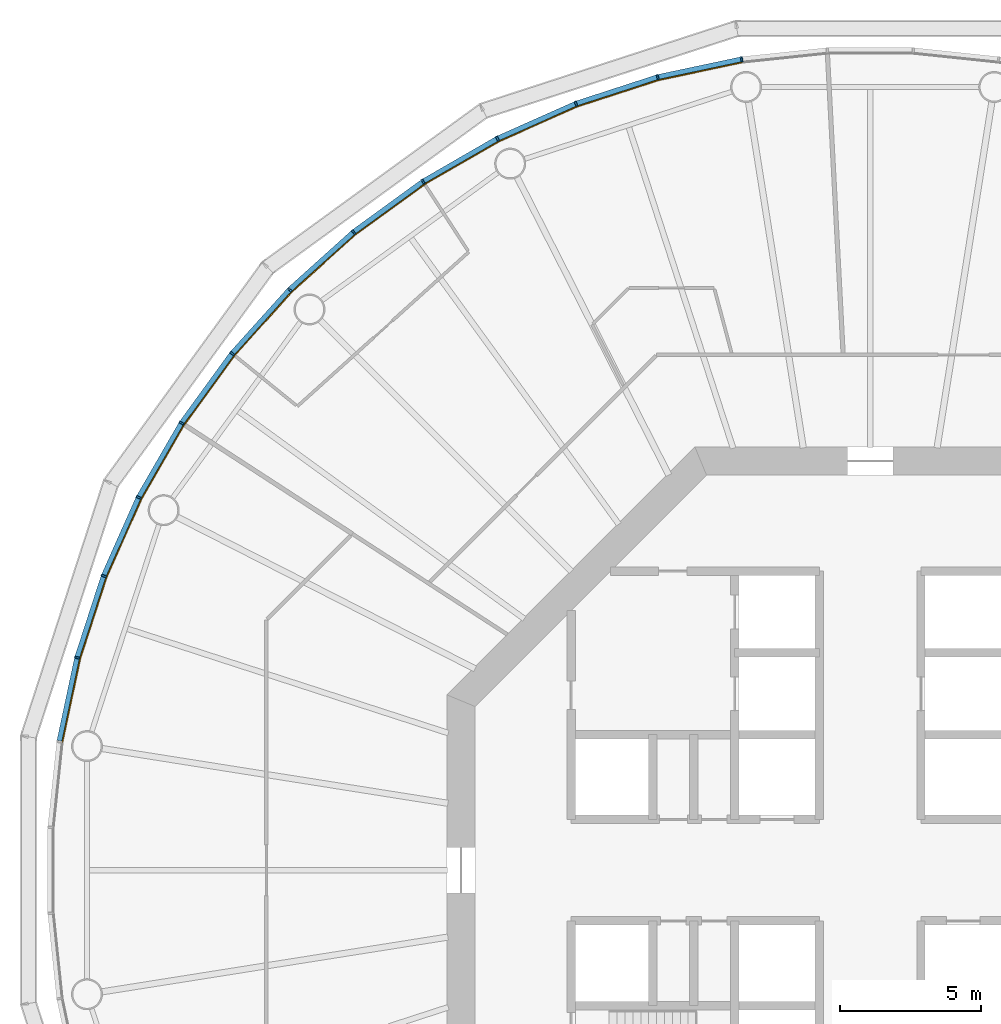
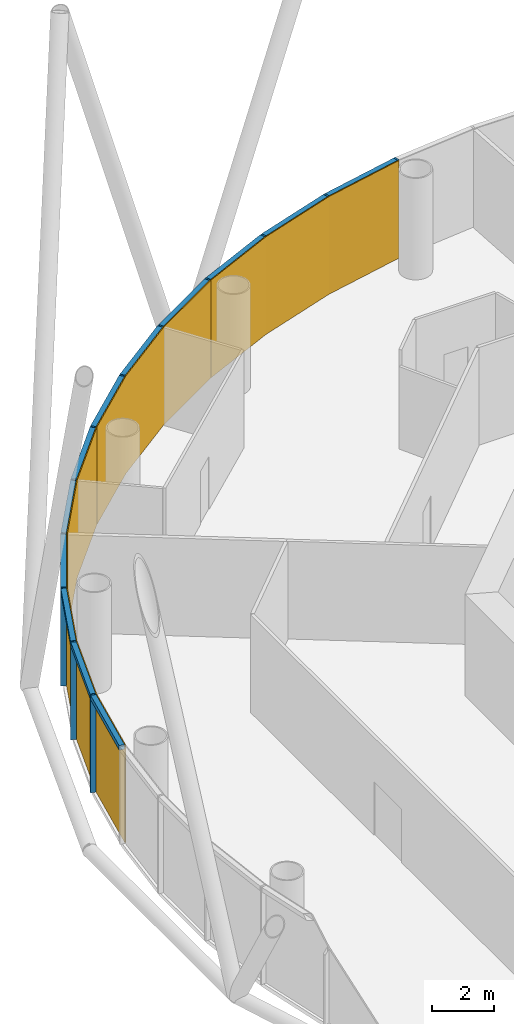
# One storey, part 10 of 13: 24 members, 4 curtain walls.
"""IFC4 building model written with IfcOpenShell, lengths in metres."""

import ifcopenshell
import ifcopenshell.guid

model = None  # the IFC model being written
_history = None  # IfcOwnerHistory: only IFC2X3 demands one
_inside = {}  # id of a spatial element -> (the spatial element, [elements in it])
_under = {}  # id of a project, library or spatial element -> (it, [spatial elements below it])
_declared = {}  # id of a project -> (the project, [libraries it declares])
_typed = {}  # id of a type object -> (the type object, [elements of that type])
_made_of = {}  # id of a material, layer set ... -> (it, [elements and type objects made of it])


def new_model(schema):
    """Start an empty IFC model of exactly this schema.

    Asked for "IFC4X3", IfcOpenShell would pick the latest addendum, in which some entities
    have other attributes; the version numbers below select the first issue.
    IFC2X3 requires an IfcOwnerHistory on every rooted entity: one is made here for all.
    """
    global model, _history
    if schema == "IFC4X3":
        model = ifcopenshell.file(schema_version=(4, 3, 0, 0))
    else:
        model = ifcopenshell.file(schema=schema)
    _inside.clear()
    _under.clear()
    _declared.clear()
    _typed.clear()
    _made_of.clear()
    _history = None
    if model.schema == "IFC2X3":
        org = make("IfcOrganization", Name="unknown")
        user = make(
            "IfcPersonAndOrganization",
            ThePerson=make("IfcPerson", FamilyName="unknown"),
            TheOrganization=org,
        )
        app = make(
            "IfcApplication",
            ApplicationDeveloper=org,
            Version="unknown",
            ApplicationFullName="unknown",
            ApplicationIdentifier="unknown",
        )
        _history = make(
            "IfcOwnerHistory",
            OwningUser=user,
            OwningApplication=app,
            ChangeAction="ADDED",
            CreationDate=0,
        )
    return model


def make(cls, **values):
    """One entity of the class cls with the attributes given. An attribute that is None is left unset."""
    return model.create_entity(
        cls, **{name: value for name, value in values.items() if value is not None}
    )


def rooted(cls, **values):
    """An entity with a GlobalId (a new one), such as an element, a storey or a relation."""
    return make(cls, GlobalId=ifcopenshell.guid.new(), OwnerHistory=_history, **values)


def si_unit(unit_type, name, prefix=None):
    """IfcSIUnit, for example si_unit("LENGTHUNIT", "METRE", prefix="MILLI")."""
    return make("IfcSIUnit", UnitType=unit_type, Prefix=prefix, Name=name)


def assignment(units):
    """IfcUnitAssignment: the units of a project."""
    return None if units is None else make("IfcUnitAssignment", Units=units)


def point(xyz):
    """IfcCartesianPoint."""
    return None if xyz is None else make("IfcCartesianPoint", Coordinates=xyz)


def direction(xyz):
    """IfcDirection."""
    return None if xyz is None else make("IfcDirection", DirectionRatios=xyz)


def frame(location, z_axis=None, x_axis=None):
    """IfcAxis2Placement3D, a coordinate frame: its origin and axes. An axis left out is left unset."""
    return make(
        "IfcAxis2Placement3D",
        Location=point(location),
        Axis=direction(z_axis),
        RefDirection=direction(x_axis),
    )


def frame_2d(location, x_axis=None):
    """IfcAxis2Placement2D, a coordinate frame in the plane: its origin and x axis."""
    return make(
        "IfcAxis2Placement2D", Location=point(location), RefDirection=direction(x_axis)
    )


def origin():
    """The frame at (0, 0, 0) with its axes left unset."""
    return frame((0.0, 0.0, 0.0))


def origin_2d():
    """The frame at (0, 0) in the plane with its x axis left unset."""
    return frame_2d((0.0, 0.0))


def place(relative_to, where):
    """IfcLocalPlacement: puts the frame where relative to a parent placement (None: the world)."""
    return make(
        "IfcLocalPlacement", PlacementRelTo=relative_to, RelativePlacement=where
    )


def context(
    kind, dimensions, precision=None, world=None, true_north=None, identifier=None
):
    """IfcGeometricRepresentationContext, for example the 3D "Model" context."""
    return make(
        "IfcGeometricRepresentationContext",
        ContextIdentifier=identifier,
        ContextType=kind,
        CoordinateSpaceDimension=dimensions,
        Precision=precision,
        WorldCoordinateSystem=world,
        TrueNorth=true_north,
    )


def subcontext(parent, identifier, kind, view, scale=None):
    """IfcGeometricRepresentationSubContext, for example "Body" below "Model"."""
    return make(
        "IfcGeometricRepresentationSubContext",
        ContextIdentifier=identifier,
        ContextType=kind,
        ParentContext=parent,
        TargetScale=scale,
        TargetView=view,
    )


def project(units=None, contexts=None):
    """IfcProject with its units and contexts."""
    return rooted(
        "IfcProject",
        Name="project",
        RepresentationContexts=contexts,
        UnitsInContext=assignment(units),
    )


def spatial(cls, under=None, at=None, **own):
    """A site, building, storey or space (cls), placed at a placement, below another one or the project."""
    s = rooted(cls, ObjectPlacement=at, **own)
    if under is not None:
        _under.setdefault(under.id(), (under, []))[1].append(s)
    return s


def polyline(points):
    """IfcPolyline through the points."""
    return make("IfcPolyline", Points=[point(p) for p in points])


def profile(cls, at=None, kind="AREA", **sizes):
    """A parametric profile (cls). Its sizes go by their IFC names, for example OverallWidth=200.0."""
    return make(cls, ProfileType=kind, Position=at, **sizes)


def rectangle(**sizes):
    """IfcRectangleProfileDef."""
    return profile("IfcRectangleProfileDef", **sizes)


def outline(outer, holes=None, kind="AREA"):
    """IfcArbitraryClosedProfileDef: a profile drawn as a closed curve; with holes, ...WithVoids."""
    if holes is None:
        return make("IfcArbitraryClosedProfileDef", ProfileType=kind, OuterCurve=outer)
    return make(
        "IfcArbitraryProfileDefWithVoids",
        ProfileType=kind,
        OuterCurve=outer,
        InnerCurves=holes,
    )


def extrude(swept, where, along, depth):
    """IfcExtrudedAreaSolid: the profile swept, set in the frame where, extruded along a direction by depth."""
    return make(
        "IfcExtrudedAreaSolid",
        SweptArea=swept,
        Position=where,
        ExtrudedDirection=direction(along),
        Depth=depth,
    )


def shape(context_of_items, identifier, shape_type, items):
    """IfcShapeRepresentation: the items that make up one representation, for example the "Body"."""
    return make(
        "IfcShapeRepresentation",
        ContextOfItems=context_of_items,
        RepresentationIdentifier=identifier,
        RepresentationType=shape_type,
        Items=items,
    )


def material(Name=None, Category=None):
    """IfcMaterial."""
    return make("IfcMaterial", Name=Name, Category=Category)


def layer(
    of_material, thickness, ventilated=None, Name=None, Category=None, Priority=None
):
    """IfcMaterialLayer: one layer of a wall or slab, of a material (None: an air gap)."""
    return make(
        "IfcMaterialLayer",
        Material=of_material,
        LayerThickness=thickness,
        IsVentilated=ventilated,
        Name=Name,
        Category=Category,
        Priority=Priority,
    )


def layer_set(layers, Name=None):
    """IfcMaterialLayerSet."""
    return make("IfcMaterialLayerSet", MaterialLayers=layers, LayerSetName=Name)


def material_profile(
    of_material, cross_section, Name=None, Category=None, Priority=None
):
    """IfcMaterialProfile: a cross section and its material."""
    return make(
        "IfcMaterialProfile",
        Name=Name,
        Material=of_material,
        Profile=cross_section,
        Priority=Priority,
        Category=Category,
    )


def profile_set(profiles, Name=None, composite=None):
    """IfcMaterialProfileSet."""
    return make(
        "IfcMaterialProfileSet",
        Name=Name,
        MaterialProfiles=profiles,
        CompositeProfile=composite,
    )


def made_of(thing, what):
    """Note that an element or type object is made of a material, layer set ...; save() writes the relation."""
    if what is not None:
        _made_of.setdefault(what.id(), (what, []))[1].append(thing)
    return thing


def type_object(cls, material=None, **own):
    """A type object (cls), such as IfcWallType, which elements share."""
    return made_of(rooted(cls, **own), material)


def element(
    cls,
    number,
    at=None,
    inside=None,
    cuts=None,
    type_object=None,
    material=None,
    context=None,
    identifier="Body",
    shape_type=None,
    held_by="IfcProductDefinitionShape",
    body=None,
    shapes=None,
    **own,
):
    """One element of the class cls, such as IfcWall. Its Tag is "e" and its number.

    at: its placement. inside: the storey or other place that contains it. cuts: it is an
    opening in that element (IfcRelVoidsElement). A single representation is given by context,
    identifier, shape_type and body (its items); several are given by shapes. held_by: the class
    of the entity that holds the representations. save() writes the other relations.
    """
    e = rooted(cls, Tag="e%d" % number, ObjectPlacement=at, **own)
    if body is not None:
        shapes = [shape(context, identifier, shape_type, body)]
    if shapes is not None:
        e.Representation = make(held_by, Representations=shapes)
    if inside is not None:
        _inside.setdefault(inside.id(), (inside, []))[1].append(e)
    if cuts is not None:
        rooted(
            "IfcRelVoidsElement", RelatingBuildingElement=cuts, RelatedOpeningElement=e
        )
    if type_object is not None:
        _typed.setdefault(type_object.id(), (type_object, []))[1].append(e)
    return made_of(e, material)


def aggregate(whole, parts):
    """IfcRelAggregates: a whole, such as a stair, and the parts it consists of."""
    return rooted("IfcRelAggregates", RelatingObject=whole, RelatedObjects=parts)


def save(model, path):
    """Write the relations noted so far, then the file.

    IfcRelAggregates (storeys below a building ...), IfcRelContainedInSpatialStructure (elements
    in a storey), IfcRelDefinesByType, IfcRelAssociatesMaterial and IfcRelDeclares: one each for
    every whole, place, type object, material and project.
    """
    for whole, parts in _under.values():
        aggregate(whole, parts)
    for where, things in _inside.values():
        rooted(
            "IfcRelContainedInSpatialStructure",
            RelatedElements=things,
            RelatingStructure=where,
        )
    for kind, things in _typed.values():
        rooted("IfcRelDefinesByType", RelatedObjects=things, RelatingType=kind)
    for what, things in _made_of.values():
        rooted("IfcRelAssociatesMaterial", RelatedObjects=things, RelatingMaterial=what)
    for by, libraries in _declared.values():
        rooted("IfcRelDeclares", RelatingContext=by, RelatedDefinitions=libraries)
    model.write(path)


model = new_model("IFC4")

# Units and contexts
model_context = context("Model", 3, precision=1e-05, world=origin(), true_north=direction((0.0, 1.0)))
body_context = subcontext(model_context, "Body", "Model", "MODEL_VIEW")
ifc_project = project(units=[si_unit("LENGTHUNIT", "METRE"), si_unit("AREAUNIT", "SQUARE_METRE"), si_unit("VOLUMEUNIT", "CUBIC_METRE"), si_unit("PLANEANGLEUNIT", "RADIAN"), si_unit("MASSUNIT", "GRAM", prefix="KILO")], contexts=[model_context])

# Member
ifc_material_1 = material(Name="Anodised aluminium", Category="aluminium")
ifc_material_profile_1 = material_profile(ifc_material_1, rectangle(XDim=0.06494140625, YDim=0.18505859375, at=origin_2d()), Name="Mullion 65 x 185 mm anodised aluminium")
ifc_profile_set_1 = profile_set([ifc_material_profile_1], Name="Anodised aluminium")
member_type_1 = type_object("IfcMemberType", Name="Mullion 65 x 185 mm anodised aluminium", PredefinedType="MULLION", material=ifc_profile_set_1)
site_placement = place(None, origin())
building_placement = place(site_placement, origin())
storey_placement = place(building_placement, frame((0.0, 0.0, 180.0)))
member_1_placement = place(storey_placement, frame((85.448974609375, 108.734375, 0.0), z_axis=(0.0, 0.0, 1.0), x_axis=(-0.987688340595, -0.15643446504, 0.0)))
member_1 = element("IfcMember", 1, at=member_1_placement, type_object=member_type_1, Name="MULLION L41-15", PredefinedType="MULLION", context=body_context, shape_type="SweptSolid", body=[
    extrude(rectangle(XDim=0.06494140625, YDim=0.18505859375, at=origin_2d()), origin(), (0.0, 0.0, 1.0), 3.85009765625),
])

member_2_placement = place(storey_placement, frame((82.47021484375, 108.101318359375, 0.0), z_axis=(0.0, 0.0, 1.0), x_axis=(-0.965925826289, -0.258819045103, 0.0)))
member_2 = element("IfcMember", 2, at=member_2_placement, type_object=member_type_1, Name="MULLION L41-16", PredefinedType="MULLION", context=body_context, shape_type="SweptSolid", body=[
    extrude(rectangle(XDim=0.06494140625, YDim=0.18505859375, at=origin_2d()), origin(), (0.0, 0.0, 1.0), 3.85009765625),
])

member_3_placement = place(storey_placement, frame((79.57421875, 107.16015625, 0.0), z_axis=(0.0, 0.0, 1.0), x_axis=(-0.933580426497, -0.358367949545, 0.0)))
member_3 = element("IfcMember", 3, at=member_3_placement, type_object=member_type_1, Name="MULLION L41-17", PredefinedType="MULLION", context=body_context, shape_type="SweptSolid", body=[
    extrude(rectangle(XDim=0.06494140625, YDim=0.18505859375, at=origin_2d()), origin(), (0.0, 0.0, 1.0), 3.85009765625),
])

member_4_placement = place(storey_placement, frame((76.792236328125, 105.921630859375, 0.0), z_axis=(0.0, 0.0, 1.0), x_axis=(-0.891006524188, -0.45399049974, 0.0)))
member_4 = element("IfcMember", 4, at=member_4_placement, type_object=member_type_1, Name="MULLION L41-18", PredefinedType="MULLION", context=body_context, shape_type="SweptSolid", body=[
    extrude(rectangle(XDim=0.06494140625, YDim=0.18505859375, at=origin_2d()), origin(), (0.0, 0.0, 1.0), 3.85009765625),
])

member_5_placement = place(storey_placement, frame((74.155029296875, 104.39892578125, 0.0), z_axis=(0.0, 0.0, 1.0), x_axis=(-0.838670567945, -0.544639035015, 0.0)))
member_5 = element("IfcMember", 5, at=member_5_placement, type_object=member_type_1, Name="MULLION L41-19", PredefinedType="MULLION", context=body_context, shape_type="SweptSolid", body=[
    extrude(rectangle(XDim=0.06494140625, YDim=0.18505859375, at=origin_2d()), origin(), (0.0, 0.0, 1.0), 3.85009765625),
])

member_6_placement = place(storey_placement, frame((71.69140625, 102.609130859375, 0.0), z_axis=(0.0, 0.0, 1.0), x_axis=(-0.777145961457, -0.62932039105, 0.0)))
member_6 = element("IfcMember", 6, at=member_6_placement, type_object=member_type_1, Name="MULLION L41-20", PredefinedType="MULLION", context=body_context, shape_type="SweptSolid", body=[
    extrude(rectangle(XDim=0.06494140625, YDim=0.18505859375, at=origin_2d()), origin(), (0.0, 0.0, 1.0), 3.85009765625),
])

member_7_placement = place(storey_placement, frame((69.428466796875, 100.571533203125, 0.0), z_axis=(0.0, 0.0, 1.0), x_axis=(-0.707106781187, -0.707106781187, 0.0)))
member_7 = element("IfcMember", 7, at=member_7_placement, type_object=member_type_1, Name="MULLION L41-21", PredefinedType="MULLION", context=body_context, shape_type="SweptSolid", body=[
    extrude(rectangle(XDim=0.06494140625, YDim=0.18505859375, at=origin_2d()), origin(), (0.0, 0.0, 1.0), 3.85009765625),
])

member_8_placement = place(storey_placement, frame((67.390869140625, 98.30859375, 0.0), z_axis=(0.0, 0.0, 1.0), x_axis=(-0.62932039105, -0.777145961457, 0.0)))
member_8 = element("IfcMember", 8, at=member_8_placement, type_object=member_type_1, Name="MULLION L41-22", PredefinedType="MULLION", context=body_context, shape_type="SweptSolid", body=[
    extrude(rectangle(XDim=0.06494140625, YDim=0.18505859375, at=origin_2d()), origin(), (0.0, 0.0, 1.0), 3.85009765625),
])

member_9_placement = place(storey_placement, frame((65.60107421875, 95.844970703125, 0.0), z_axis=(0.0, 0.0, 1.0), x_axis=(-0.544639035015, -0.838670567945, 0.0)))
member_9 = element("IfcMember", 9, at=member_9_placement, type_object=member_type_1, Name="MULLION L41-23", PredefinedType="MULLION", context=body_context, shape_type="SweptSolid", body=[
    extrude(rectangle(XDim=0.06494140625, YDim=0.18505859375, at=origin_2d()), origin(), (0.0, 0.0, 1.0), 3.85009765625),
])

member_10_placement = place(storey_placement, frame((64.078369140625, 93.207763671875, 0.0), z_axis=(0.0, 0.0, 1.0), x_axis=(-0.45399049974, -0.891006524188, 0.0)))
member_10 = element("IfcMember", 10, at=member_10_placement, type_object=member_type_1, Name="MULLION L41-24", PredefinedType="MULLION", context=body_context, shape_type="SweptSolid", body=[
    extrude(rectangle(XDim=0.06494140625, YDim=0.18505859375, at=origin_2d()), origin(), (0.0, 0.0, 1.0), 3.85009765625),
])

member_11_placement = place(storey_placement, frame((62.83984375, 90.42578125, 0.0), z_axis=(0.0, 0.0, 1.0), x_axis=(-0.358367949545, -0.933580426497, 0.0)))
member_11 = element("IfcMember", 11, at=member_11_placement, type_object=member_type_1, Name="MULLION L41-25", PredefinedType="MULLION", context=body_context, shape_type="SweptSolid", body=[
    extrude(rectangle(XDim=0.06494140625, YDim=0.18505859375, at=origin_2d()), origin(), (0.0, 0.0, 1.0), 3.85009765625),
])

member_12_placement = place(storey_placement, frame((61.898681640625, 87.52978515625, 0.0), z_axis=(0.0, 0.0, 1.0), x_axis=(-0.258819045103, -0.965925826289, 0.0)))
member_12 = element("IfcMember", 12, at=member_12_placement, type_object=member_type_1, Name="MULLION L41-26", PredefinedType="MULLION", context=body_context, shape_type="SweptSolid", body=[
    extrude(rectangle(XDim=0.06494140625, YDim=0.18505859375, at=origin_2d()), origin(), (0.0, 0.0, 1.0), 3.85009765625),
])

ifc_material_2 = material(Name="Anodised aluminium", Category="aluminium")
ifc_material_profile_2 = material_profile(ifc_material_2, rectangle(XDim=0.18505859375, YDim=0.175048828125, at=origin_2d()), Name="Transom 175 x 185 mm anodised aluminium")
ifc_profile_set_2 = profile_set([ifc_material_profile_2], Name="Anodised aluminium")
member_type_2 = type_object("IfcMemberType", Name="Transom 175 x 185 mm anodised aluminium", PredefinedType="USERDEFINED", material=ifc_profile_set_2)
member_13_placement = place(storey_placement, frame((85.412353515625, 108.7265625, 3.762451171875), z_axis=(-0.97815822425, -0.207861704825, 0.0), x_axis=(0.207861704825, -0.97815822425, 0.0)))
member_13 = element("IfcMember", 13, at=member_13_placement, type_object=member_type_2, Name="TRANSOM L41-15", ObjectType="TRANSOM", PredefinedType="USERDEFINED", context=body_context, shape_type="SweptSolid", body=[
    extrude(rectangle(XDim=0.18505859375, YDim=0.175048828125, at=origin_2d()), origin(), (0.0, 0.0, 1.0), 2.970458984375),
])

member_14_placement = place(storey_placement, frame((82.434814453125, 108.08984375, 3.762451171875), z_axis=(-0.951055809184, -0.30901917063, 0.0), x_axis=(0.30901917063, -0.951055809184, 0.0)))
member_14 = element("IfcMember", 14, at=member_14_placement, type_object=member_type_2, Name="TRANSOM L41-16", ObjectType="TRANSOM", PredefinedType="USERDEFINED", context=body_context, shape_type="SweptSolid", body=[
    extrude(rectangle(XDim=0.18505859375, YDim=0.175048828125, at=origin_2d()), origin(), (0.0, 0.0, 1.0), 2.970703125),
])

member_15_placement = place(storey_placement, frame((79.5400390625, 107.14501953125, 3.762451171875), z_axis=(-0.913567348806, -0.406687471156, 0.0), x_axis=(0.406687471156, -0.913567348806, 0.0)))
member_15 = element("IfcMember", 15, at=member_15_placement, type_object=member_type_2, Name="TRANSOM L41-17", ObjectType="TRANSOM", PredefinedType="USERDEFINED", context=body_context, shape_type="SweptSolid", body=[
    extrude(rectangle(XDim=0.18505859375, YDim=0.175048828125, at=origin_2d()), origin(), (0.0, 0.0, 1.0), 2.970458984375),
])

member_16_placement = place(storey_placement, frame((76.759765625, 105.903076171875, 3.762451171875), z_axis=(-0.866009025146, -0.500028367561, 0.0), x_axis=(0.500028367561, -0.866009025146, 0.0)))
member_16 = element("IfcMember", 16, at=member_16_placement, type_object=member_type_2, Name="TRANSOM L41-18", ObjectType="TRANSOM", PredefinedType="USERDEFINED", context=body_context, shape_type="SweptSolid", body=[
    extrude(rectangle(XDim=0.18505859375, YDim=0.175048828125, at=origin_2d()), origin(), (0.0, 0.0, 1.0), 2.970458984375),
])

member_17_placement = place(storey_placement, frame((74.124755859375, 104.377197265625, 3.762451171875), z_axis=(-0.808991906087, -0.587819781808, 0.0), x_axis=(0.587819781808, -0.808991906087, 0.0)))
member_17 = element("IfcMember", 17, at=member_17_placement, type_object=member_type_2, Name="TRANSOM L41-19", ObjectType="TRANSOM", PredefinedType="USERDEFINED", context=body_context, shape_type="SweptSolid", body=[
    extrude(rectangle(XDim=0.18505859375, YDim=0.175048828125, at=origin_2d()), origin(), (0.0, 0.0, 1.0), 2.970458984375),
])

member_18_placement = place(storey_placement, frame((71.66357421875, 102.584228515625, 3.762451171875), z_axis=(-0.743163354343, -0.669110027395, 0.0), x_axis=(0.669110027395, -0.743163354343, 0.0)))
member_18 = element("IfcMember", 18, at=member_18_placement, type_object=member_type_2, Name="TRANSOM L41-20", ObjectType="TRANSOM", PredefinedType="USERDEFINED", context=body_context, shape_type="SweptSolid", body=[
    extrude(rectangle(XDim=0.18505859375, YDim=0.175048828125, at=origin_2d()), origin(), (0.0, 0.0, 1.0), 2.970458984375),
])

member_19_placement = place(storey_placement, frame((69.4033203125, 100.5439453125, 3.762451171875), z_axis=(-0.669110027395, -0.743163354343, 0.0), x_axis=(0.743163354343, -0.669110027395, 0.0)))
member_19 = element("IfcMember", 19, at=member_19_placement, type_object=member_type_2, Name="TRANSOM L41-21", ObjectType="TRANSOM", PredefinedType="USERDEFINED", context=body_context, shape_type="SweptSolid", body=[
    extrude(rectangle(XDim=0.18505859375, YDim=0.175048828125, at=origin_2d()), origin(), (0.0, 0.0, 1.0), 2.970458984375),
])

member_20_placement = place(storey_placement, frame((67.368896484375, 98.2783203125, 3.762451171875), z_axis=(-0.587819781808, -0.808991906087, 0.0), x_axis=(0.808991906087, -0.587819781808, 0.0)))
member_20 = element("IfcMember", 20, at=member_20_placement, type_object=member_type_2, Name="TRANSOM L41-22", ObjectType="TRANSOM", PredefinedType="USERDEFINED", context=body_context, shape_type="SweptSolid", body=[
    extrude(rectangle(XDim=0.18505859375, YDim=0.175048828125, at=origin_2d()), origin(), (0.0, 0.0, 1.0), 2.970458984375),
])

member_21_placement = place(storey_placement, frame((65.582275390625, 95.812744140625, 3.762451171875), z_axis=(-0.500028367561, -0.866009025146, 0.0), x_axis=(0.866009025146, -0.500028367561, 0.0)))
member_21 = element("IfcMember", 21, at=member_21_placement, type_object=member_type_2, Name="TRANSOM L41-23", ObjectType="TRANSOM", PredefinedType="USERDEFINED", context=body_context, shape_type="SweptSolid", body=[
    extrude(rectangle(XDim=0.18505859375, YDim=0.175048828125, at=origin_2d()), origin(), (0.0, 0.0, 1.0), 2.970458984375),
])

member_22_placement = place(storey_placement, frame((64.06298828125, 93.173583984375, 3.762451171875), z_axis=(-0.406687471156, -0.913567348806, 0.0), x_axis=(0.913567348806, -0.406687471156, 0.0)))
member_22 = element("IfcMember", 22, at=member_22_placement, type_object=member_type_2, Name="TRANSOM L41-24", ObjectType="TRANSOM", PredefinedType="USERDEFINED", context=body_context, shape_type="SweptSolid", body=[
    extrude(rectangle(XDim=0.18505859375, YDim=0.175048828125, at=origin_2d()), origin(), (0.0, 0.0, 1.0), 2.970458984375),
])

member_23_placement = place(storey_placement, frame((62.828125, 90.390380859375, 3.762451171875), z_axis=(-0.30901917063, -0.951055809184, 0.0), x_axis=(0.951055809184, -0.30901917063, 0.0)))
member_23 = element("IfcMember", 23, at=member_23_placement, type_object=member_type_2, Name="TRANSOM L41-25", ObjectType="TRANSOM", PredefinedType="USERDEFINED", context=body_context, shape_type="SweptSolid", body=[
    extrude(rectangle(XDim=0.18505859375, YDim=0.175048828125, at=origin_2d()), origin(), (0.0, 0.0, 1.0), 2.970703125),
])

member_24_placement = place(storey_placement, frame((61.890869140625, 87.4931640625, 3.762451171875), z_axis=(-0.207861704825, -0.97815822425, 0.0), x_axis=(0.97815822425, -0.207861704825, 0.0)))
member_24 = element("IfcMember", 24, at=member_24_placement, type_object=member_type_2, Name="TRANSOM L41-26", ObjectType="TRANSOM", PredefinedType="USERDEFINED", context=body_context, shape_type="SweptSolid", body=[
    extrude(rectangle(XDim=0.18505859375, YDim=0.175048828125, at=origin_2d()), origin(), (0.0, 0.0, 1.0), 2.970458984375),
])

# Site, building, storey
site = spatial("IfcSite", under=ifc_project, at=site_placement, CompositionType="ELEMENT")
building = spatial("IfcBuilding", under=site, at=building_placement, Name="Entoto Ring Tower", CompositionType="ELEMENT")
storey = spatial("IfcBuildingStorey", under=building, at=storey_placement, Name="L41", CompositionType="ELEMENT", Elevation=180.0)

# Curtain wall
ifc_material_3 = material(Name="Clear low-iron glass", Category="glass")
ifc_layer = layer(ifc_material_3, 0.033935546875)
ifc_layer_set = layer_set([ifc_layer], Name="Clear low-iron glass")
curtain_wall_type = type_object("IfcCurtainWallType", Name="Curtain wall system CW3 glazing 34 mm", PredefinedType="NOTDEFINED", material=ifc_layer_set)
curtain_wall_1_placement = place(storey_placement, origin())
curtain_wall_1 = element("IfcCurtainWall", 25, at=curtain_wall_1_placement, inside=storey, type_object=curtain_wall_type, Name="CW3 L41-06", PredefinedType="NOTDEFINED", context=body_context, shape_type="SweptSolid", body=[
    extrude(outline(polyline([(85.46337890625, 108.64306640625), (82.494140625, 108.011962890625), (79.607421875, 107.07373046875), (76.834228515625, 105.839111328125), (76.849853515625, 105.808837890625), (79.61962890625, 107.0419921875), (82.503173828125, 107.97900390625), (85.46875, 108.609375), (85.46337890625, 108.64306640625)])), origin(), (0.0, 0.0, 1.0), 3.85009765625),
])

aggregate(curtain_wall_1, [member_1, member_2, member_3, member_13, member_14, member_15])

curtain_wall_2_placement = place(storey_placement, origin())
curtain_wall_2 = element("IfcCurtainWall", 26, at=curtain_wall_2_placement, inside=storey, type_object=curtain_wall_type, Name="CW3 L41-07", PredefinedType="NOTDEFINED", context=body_context, shape_type="SweptSolid", body=[
    extrude(outline(polyline([(76.834228515625, 105.839111328125), (74.20556640625, 104.321533203125), (71.749755859375, 102.537353515625), (69.493896484375, 100.506103515625), (69.51806640625, 100.48193359375), (71.771240234375, 102.5107421875), (74.22412109375, 104.29296875), (76.849853515625, 105.808837890625), (76.834228515625, 105.839111328125)])), origin(), (0.0, 0.0, 1.0), 3.85009765625),
])

aggregate(curtain_wall_2, [member_4, member_5, member_6, member_16, member_17, member_18])

curtain_wall_3_placement = place(storey_placement, origin())
curtain_wall_3 = element("IfcCurtainWall", 27, at=curtain_wall_3_placement, inside=storey, type_object=curtain_wall_type, Name="CW3 L41-08", PredefinedType="NOTDEFINED", context=body_context, shape_type="SweptSolid", body=[
    extrude(outline(polyline([(69.493896484375, 100.506103515625), (67.462646484375, 98.250244140625), (65.678466796875, 95.79443359375), (64.160888671875, 93.165771484375), (64.191162109375, 93.150146484375), (65.70703125, 95.77587890625), (67.4892578125, 98.228759765625), (69.51806640625, 100.48193359375), (69.493896484375, 100.506103515625)])), origin(), (0.0, 0.0, 1.0), 3.85009765625),
])

aggregate(curtain_wall_3, [member_7, member_8, member_9, member_19, member_20, member_21])

curtain_wall_4_placement = place(storey_placement, origin())
curtain_wall_4 = element("IfcCurtainWall", 28, at=curtain_wall_4_placement, inside=storey, type_object=curtain_wall_type, Name="CW3 L41-09", PredefinedType="NOTDEFINED", context=body_context, shape_type="SweptSolid", body=[
    extrude(outline(polyline([(64.160888671875, 93.165771484375), (62.92626953125, 90.392578125), (61.988037109375, 87.505859375), (61.35693359375, 84.53662109375), (61.390625, 84.53125), (62.02099609375, 87.496826171875), (62.9580078125, 90.38037109375), (64.191162109375, 93.150146484375), (64.160888671875, 93.165771484375)])), origin(), (0.0, 0.0, 1.0), 3.85009765625),
])

aggregate(curtain_wall_4, [member_10, member_11, member_12, member_22, member_23, member_24])

save(model, "model.ifc")
